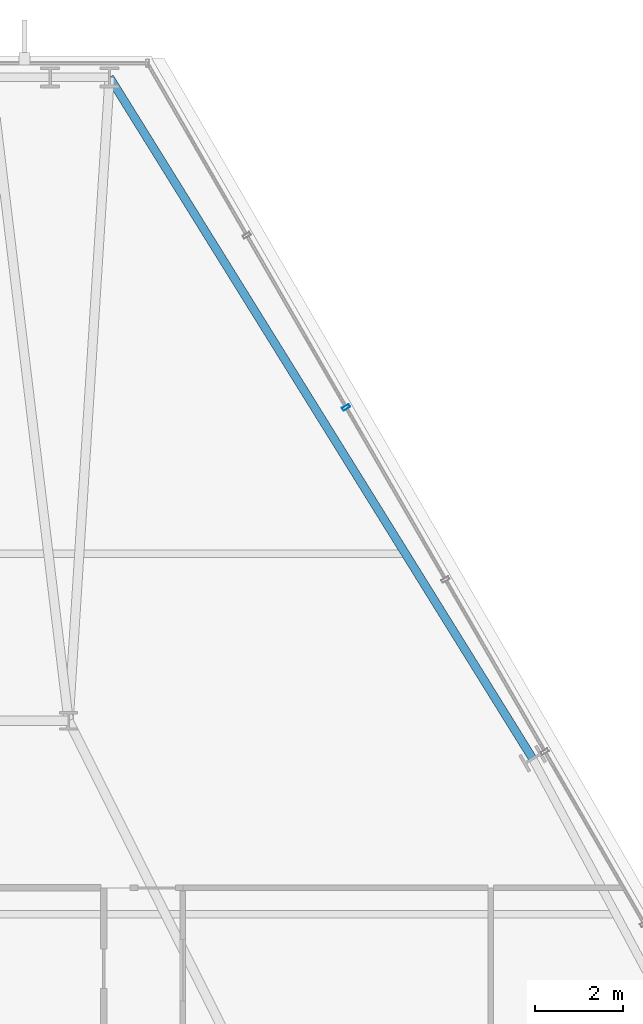
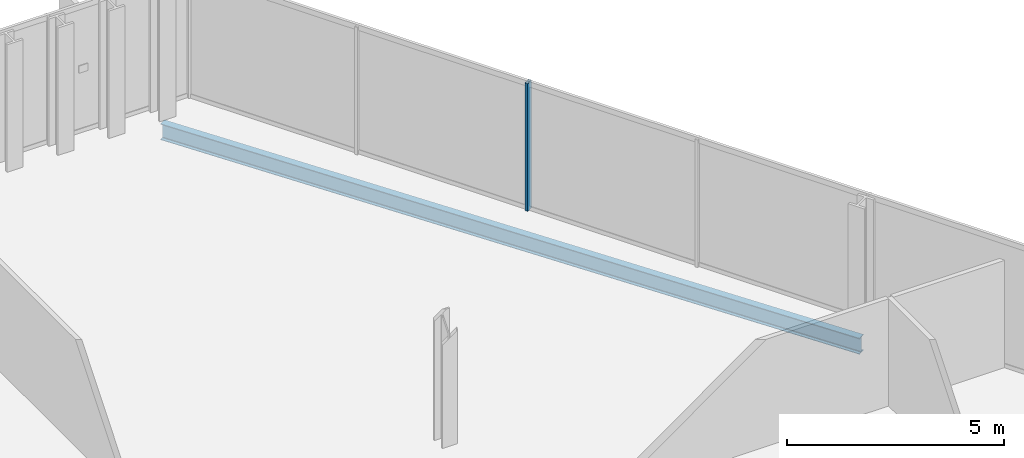
# One storey, part 24 of 33: 1 beam, 1 member, 1 element without a shape of its own.
"""IFC4 building model written with IfcOpenShell, lengths in metres."""

from ifc_helpers import new_model, si_unit, direction, frame, origin, origin_2d, place, context, subcontext, project, spatial, hollow_rectangle, i_section, extrude, material, layer, layer_set, material_profile, profile_set, type_object, element, aggregate, save


model = new_model("IFC4")

# Units and contexts
model_context = context("Model", 3, precision=1e-05, world=origin(), true_north=direction((0.0, 1.0)))
body_context = subcontext(model_context, "Body", "Model", "MODEL_VIEW")
ifc_project = project(units=[si_unit("LENGTHUNIT", "METRE"), si_unit("AREAUNIT", "SQUARE_METRE"), si_unit("VOLUMEUNIT", "CUBIC_METRE"), si_unit("PLANEANGLEUNIT", "RADIAN"), si_unit("MASSUNIT", "GRAM", prefix="KILO")], contexts=[model_context])

# Site, building, storey
site_placement = place(None, origin())
site = spatial("IfcSite", under=ifc_project, at=site_placement, CompositionType="ELEMENT")
building_placement = place(site_placement, origin())
building = spatial("IfcBuilding", under=site, at=building_placement, Name="Ndaravel Arena Tower", CompositionType="ELEMENT")
storey_placement = place(building_placement, frame((0.0, 0.0, 149.800048828125)))
storey = spatial("IfcBuildingStorey", under=building, at=storey_placement, Name="L35", CompositionType="ELEMENT", Elevation=149.800048828125)

# Beam
ifc_material_1 = material(Name="Steel S355", Category="steel")
ifc_material_profile_1 = material_profile(ifc_material_1, i_section(OverallWidth=0.18994140625, OverallDepth=0.449951171875, WebThickness=0.009521484375, FlangeThickness=0.0146484375, FilletRadius=0.02099609375, at=origin_2d()), Name="IPE 450")
ifc_profile_set_1 = profile_set([ifc_material_profile_1], Name="Steel S355")
beam_type = type_object("IfcBeamType", Name="BM-SPAN-IPE450", PredefinedType="SPANDREL", material=ifc_profile_set_1)
beam_placement = place(storey_placement, frame((56.352783203125, 30.339599609375, -0.445068359375), z_axis=(-0.52754211898, 0.849528876909, 0.0), x_axis=(-0.849528876909, -0.52754211898, 0.0)))
element("IfcBeam", 1, at=beam_placement, inside=storey, type_object=beam_type, Name="L35 Perimeter Spandrel Beam SP-10", PredefinedType="SPANDREL", context=body_context, shape_type="SweptSolid", body=[
    extrude(i_section(OverallWidth=0.18994140625, OverallDepth=0.449951171875, WebThickness=0.009521484375, FlangeThickness=0.0146484375, FilletRadius=0.02099609375, at=origin_2d()), origin(), (0.0, 0.0, 1.0), 18.238525390625),
])

# Curtain wall, member
ifc_material_2 = material(Name="Aluminium", Category="aluminium")
ifc_layer = layer(ifc_material_2, 0.179931640625)
ifc_layer_set = layer_set([ifc_layer], Name="Aluminium")
curtain_wall_type = type_object("IfcCurtainWallType", Name="CW-SYS-03", PredefinedType="NOTDEFINED", material=ifc_layer_set)
curtain_wall_placement = place(storey_placement, origin())
curtain_wall = element("IfcCurtainWall", 2, at=curtain_wall_placement, inside=storey, type_object=curtain_wall_type, Name="L35 Faceted Crystal Curtain Wall CW-L35-E03", PredefinedType="NOTDEFINED")
ifc_material_3 = material(Name="Aluminium", Category="aluminium")
ifc_material_profile_2 = material_profile(ifc_material_3, hollow_rectangle(XDim=0.074951171875, YDim=0.179931640625, WallThickness=0.00390625, at=origin_2d()), Name="CW MULLION 75x180x4")
ifc_profile_set_2 = profile_set([ifc_material_profile_2], Name="Aluminium")
member_type = type_object("IfcMemberType", Name="MEM-CW-MUL180", PredefinedType="MULLION", material=ifc_profile_set_2)
member_placement = place(storey_placement, frame((52.11083984375, 38.32666015625, 0.0), z_axis=(0.0, 0.0, 1.0), x_axis=(-0.5, 0.866025403784, 0.0)))
member = element("IfcMember", 3, at=member_placement, type_object=member_type, Name="CW-L35-E03 Mullion 06", PredefinedType="MULLION", context=body_context, shape_type="SweptSolid", body=[
    extrude(hollow_rectangle(XDim=0.074951171875, YDim=0.179931640625, WallThickness=0.00390625, at=origin_2d()), origin(), (0.0, 0.0, 1.0), 3.579833984375),
])
aggregate(curtain_wall, [member])

save(model, "model.ifc")
